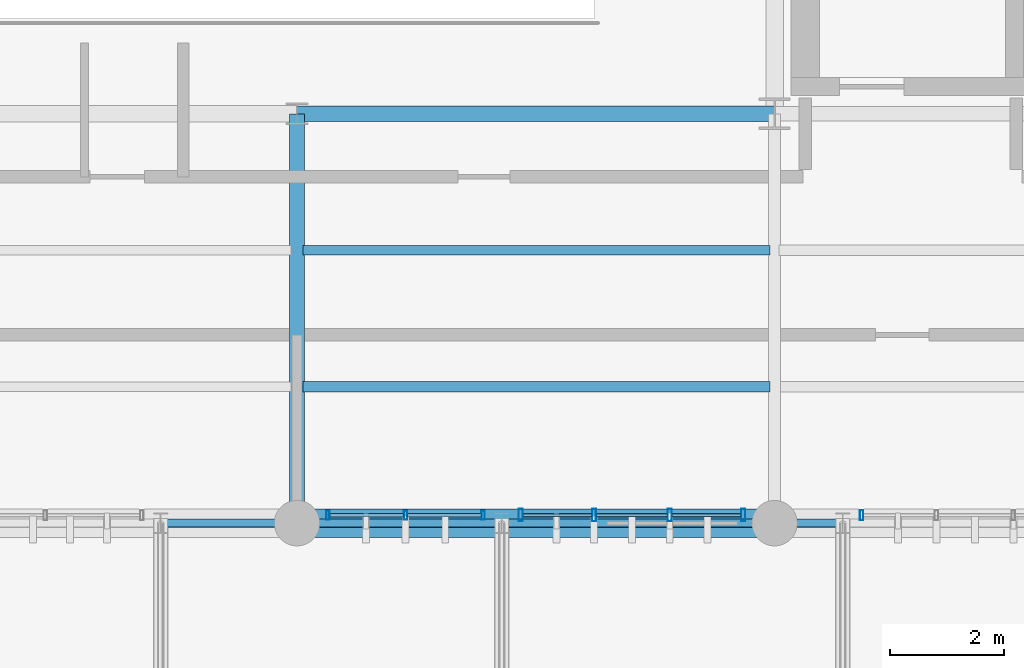
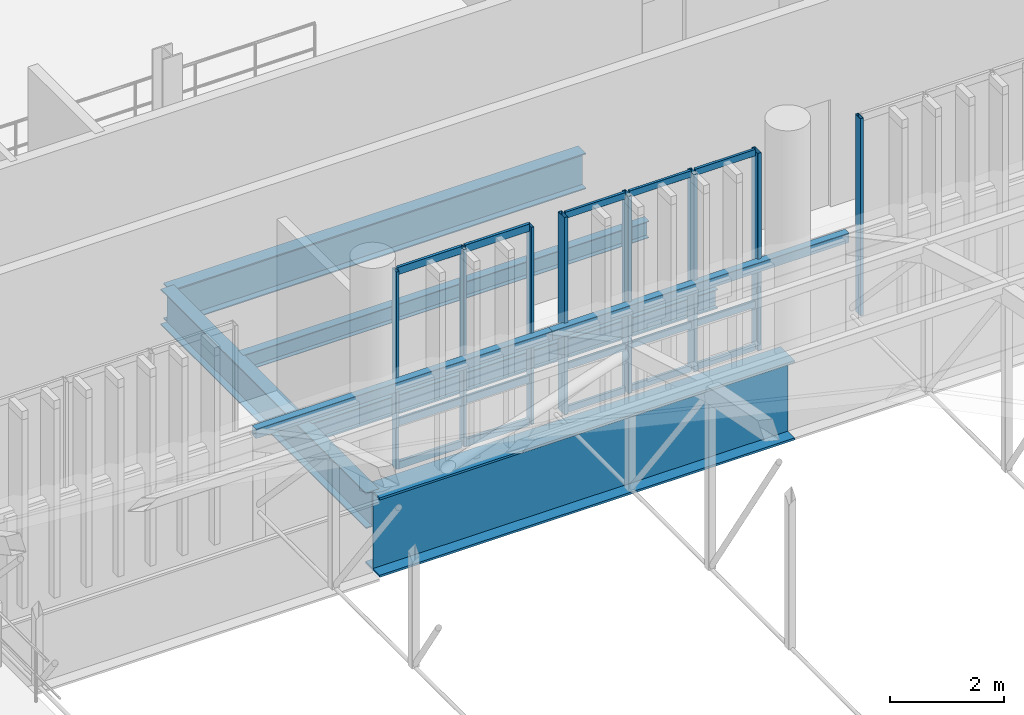
# One storey, part 50 of 109: 25 members, 5 beams, 3 elements without a shape of their own.
"""IFC4 building model written with IfcOpenShell, lengths in metres."""

from ifc_helpers import new_model, si_unit, direction, frame, origin_with_axes, origin_2d_with_axis, place, context, subcontext, project, spatial, hollow_rectangle, i_section, extrude, material, material_profile, profile_set, type_object, element, aggregate, save


model = new_model("IFC4")

# Units and contexts
model_context = context("Model", 3, precision=1e-05, world=origin_with_axes(), true_north=direction((0.0, 1.0)))
body_context = subcontext(model_context, "Body", "Model", "MODEL_VIEW")
ifc_project = project(units=[si_unit("LENGTHUNIT", "METRE"), si_unit("AREAUNIT", "SQUARE_METRE"), si_unit("VOLUMEUNIT", "CUBIC_METRE"), si_unit("PLANEANGLEUNIT", "RADIAN"), si_unit("MASSUNIT", "GRAM", prefix="KILO"), si_unit("THERMODYNAMICTEMPERATUREUNIT", "KELVIN")], contexts=[model_context])

# Site, building, storey
site_placement = place(None, origin_with_axes())
site = spatial("IfcSite", under=ifc_project, at=site_placement, CompositionType="ELEMENT")
building_placement = place(site_placement, origin_with_axes())
building = spatial("IfcBuilding", under=site, at=building_placement, Name="Montbau Bow Law Courts", CompositionType="ELEMENT")
storey_placement = place(building_placement, frame((0.0, 0.0, 10.8), z_axis=(0.0, 0.0, 1.0), x_axis=(1.0, 0.0, 0.0)))
storey = spatial("IfcBuildingStorey", under=building, at=storey_placement, Name="L02", CompositionType="ELEMENT", Elevation=10.8)

# Beams
ifc_material_1 = material(Name="Steel CSA G40.21 Grade 350W (350 MPa)", Category="steel")
ifc_material_profile_1 = material_profile(ifc_material_1, i_section(OverallWidth=0.267, OverallDepth=0.766, WebThickness=0.0149, FlangeThickness=0.0236, at=origin_2d_with_axis()), Name="W760X185", Category="Main", Priority=0)
ifc_profile_set_1 = profile_set([ifc_material_profile_1], Name="Steel CSA G40.21 Grade 350W (350 MPa)")
beam_type_1 = type_object("IfcBeamType", Name="B-FLR-03", PredefinedType="BEAM", material=ifc_profile_set_1)
beam_1_placement = place(None, frame((72.0, 46.2, 10.177), z_axis=(1.0, 0.0, 0.0), x_axis=(0.0, 1.0, 0.0)))
element("IfcBeam", 1, at=beam_1_placement, inside=storey, type_object=beam_type_1, Name="BM-L02-S0842:bm2_0845", PredefinedType="BEAM", context=body_context, shape_type="SweptSolid", body=[
    extrude(i_section(OverallWidth=0.267, OverallDepth=0.766, WebThickness=0.0149, FlangeThickness=0.0236, at=origin_2d_with_axis()), origin_with_axes(), (0.0, 0.0, 1.0), 8.4),
])
beam_2_placement = place(None, frame((72.0, 39.0, 10.177), z_axis=(0.0, 1.0, 0.0), x_axis=(-1.0, 0.0, 0.0)))
element("IfcBeam", 2, at=beam_2_placement, inside=storey, type_object=beam_type_1, Name="BM-L02-S0864:bm2_0867", PredefinedType="BEAM", context=body_context, shape_type="SweptSolid", body=[
    extrude(i_section(OverallWidth=0.267, OverallDepth=0.766, WebThickness=0.0149, FlangeThickness=0.0236, at=origin_2d_with_axis()), origin_with_axes(), (0.0, 0.0, 1.0), 7.2),
])
ifc_material_profile_2 = material_profile(ifc_material_1, i_section(OverallWidth=0.179, OverallDepth=0.41, WebThickness=0.0088, FlangeThickness=0.0144, at=origin_2d_with_axis()), Name="W410X67", Category="Main", Priority=0)
ifc_profile_set_2 = profile_set([ifc_material_profile_2], Name="Steel CSA G40.21 Grade 350W (350 MPa)")
beam_type_2 = type_object("IfcBeamType", Name="B-JST-02", PredefinedType="JOIST", material=ifc_profile_set_2)
beam_3_placement = place(None, frame((72.109, 41.4, 10.355), z_axis=(1.0, 0.0, 0.0), x_axis=(0.0, 1.0, 0.0)))
element("IfcBeam", 3, at=beam_3_placement, inside=storey, type_object=beam_type_2, Name="JST-L02-S0445:jst2_0445", PredefinedType="JOIST", context=body_context, shape_type="SweptSolid", body=[
    extrude(i_section(OverallWidth=0.179, OverallDepth=0.41, WebThickness=0.0088, FlangeThickness=0.0144, at=origin_2d_with_axis()), origin_with_axes(), (0.0, 0.0, 1.0), 8.21),
])
ifc_material_profile_3 = material_profile(ifc_material_1, i_section(OverallWidth=0.172, OverallDepth=0.358, WebThickness=0.0079, FlangeThickness=0.0131, at=origin_2d_with_axis()), Name="W360X57", Category="Main", Priority=0)
ifc_profile_set_3 = profile_set([ifc_material_profile_3], Name="Steel CSA G40.21 Grade 350W (350 MPa)")
beam_type_3 = type_object("IfcBeamType", Name="B-JST-03", PredefinedType="JOIST", material=ifc_profile_set_3)
beam_4_placement = place(None, frame((72.109, 43.8, 10.381), z_axis=(1.0, 0.0, 0.0), x_axis=(0.0, 1.0, 0.0)))
element("IfcBeam", 4, at=beam_4_placement, inside=storey, type_object=beam_type_3, Name="JST-L02-S0446:jst2_0446", PredefinedType="JOIST", context=body_context, shape_type="SweptSolid", body=[
    extrude(i_section(OverallWidth=0.172, OverallDepth=0.358, WebThickness=0.0079, FlangeThickness=0.0131, at=origin_2d_with_axis()), origin_with_axes(), (0.0, 0.0, 1.0), 8.21),
])
ifc_material_2 = material(Name="Steel CSA G40.21 Grade 350WT (350 MPa)", Category="steel")
ifc_material_profile_4 = material_profile(ifc_material_2, i_section(OverallWidth=0.5, OverallDepth=1.7, WebThickness=0.02, FlangeThickness=0.045, at=origin_2d_with_axis()), Name="WWF1700X480", Category="Main", Priority=0)
ifc_profile_set_4 = profile_set([ifc_material_profile_4], Name="Steel CSA G40.21 Grade 350WT (350 MPa)")
beam_type_4 = type_object("IfcBeamType", Name="B-TRG-02", PredefinedType="USERDEFINED", material=ifc_profile_set_4)
beam_5_placement = place(None, frame((72.0, 39.0, 9.71), z_axis=(1.0, 0.0, 0.0), x_axis=(0.0, 1.0, 0.0)))
element("IfcBeam", 5, at=beam_5_placement, inside=storey, type_object=beam_type_4, Name="VRG-L02-S0015:bm2_0018", ObjectType="GIRDER", PredefinedType="USERDEFINED", context=body_context, shape_type="SweptSolid", body=[
    extrude(i_section(OverallWidth=0.5, OverallDepth=1.7, WebThickness=0.02, FlangeThickness=0.045, at=origin_2d_with_axis()), origin_with_axes(), (0.0, 0.0, 1.0), 8.4),
])

# Curtain wall, members
ifc_material_3 = material(Name="Thermally Broken Extruded Aluminium AA 6063-T6", Category="aluminium")
curtain_wall_type = type_object("IfcCurtainWallType", Name="CW-CRM-01", PredefinedType="NOTDEFINED", material=ifc_material_3)
curtain_wall_1_placement = place(None, frame((75.897, 39.14, 10.8), z_axis=(0.0, 0.0, 1.0), x_axis=(1.0, 0.0, 0.0)))
curtain_wall_1 = element("IfcCurtainWall", 6, at=curtain_wall_1_placement, inside=storey, type_object=curtain_wall_type, Name="CW-L02-159:cw_0159", PredefinedType="NOTDEFINED")
ifc_material_profile_5 = material_profile(ifc_material_3, hollow_rectangle(XDim=0.075, YDim=0.22, WallThickness=0.005, InnerFilletRadius=0.01, OuterFilletRadius=0.005, at=origin_2d_with_axis()), Name="CWM-220X75", Category="Main", Priority=0)
ifc_profile_set_5 = profile_set([ifc_material_profile_5], Name="Thermally Broken Extruded Aluminium AA 6063-T6")
member_type_1 = type_object("IfcMemberType", Name="M-MUL-01", PredefinedType="MULLION", material=ifc_profile_set_5)
member_1_placement = place(None, frame((75.934, 39.14, 10.8), z_axis=(0.0, 0.0, 1.0), x_axis=(1.0, 0.0, 0.0)))
member_1 = element("IfcMember", 7, at=member_1_placement, type_object=member_type_1, Name="CW-L02-159-M01:cw_0159_M01", PredefinedType="MULLION", context=body_context, shape_type="SweptSolid", body=[
    extrude(hollow_rectangle(XDim=0.075, YDim=0.22, WallThickness=0.005, InnerFilletRadius=0.01, OuterFilletRadius=0.005, at=origin_2d_with_axis()), origin_with_axes(), (0.0, 0.0, 1.0), 4.22),
])
member_2_placement = place(None, frame((77.226, 39.14, 10.8), z_axis=(0.0, 0.0, 1.0), x_axis=(1.0, 0.0, 0.0)))
member_2 = element("IfcMember", 8, at=member_2_placement, type_object=member_type_1, Name="CW-L02-159-M02:cw_0159_M02", PredefinedType="MULLION", context=body_context, shape_type="SweptSolid", body=[
    extrude(hollow_rectangle(XDim=0.075, YDim=0.22, WallThickness=0.005, InnerFilletRadius=0.01, OuterFilletRadius=0.005, at=origin_2d_with_axis()), origin_with_axes(), (0.0, 0.0, 1.0), 4.22),
])
member_3_placement = place(None, frame((78.556, 39.14, 10.8), z_axis=(0.0, 0.0, 1.0), x_axis=(1.0, 0.0, 0.0)))
member_3 = element("IfcMember", 9, at=member_3_placement, type_object=member_type_1, Name="CW-L02-159-M03:cw_0159_M03", PredefinedType="MULLION", context=body_context, shape_type="SweptSolid", body=[
    extrude(hollow_rectangle(XDim=0.075, YDim=0.22, WallThickness=0.005, InnerFilletRadius=0.01, OuterFilletRadius=0.005, at=origin_2d_with_axis()), origin_with_axes(), (0.0, 0.0, 1.0), 4.22),
])
member_4_placement = place(None, frame((79.847, 39.14, 10.8), z_axis=(0.0, 0.0, 1.0), x_axis=(1.0, 0.0, 0.0)))
member_4 = element("IfcMember", 10, at=member_4_placement, type_object=member_type_1, Name="CW-L02-159-M04:cw_0159_M04", PredefinedType="MULLION", context=body_context, shape_type="SweptSolid", body=[
    extrude(hollow_rectangle(XDim=0.075, YDim=0.22, WallThickness=0.005, InnerFilletRadius=0.01, OuterFilletRadius=0.005, at=origin_2d_with_axis()), origin_with_axes(), (0.0, 0.0, 1.0), 4.22),
])

# Curtain wall, member
curtain_wall_2_placement = place(None, frame((81.897, 39.14, 10.8), z_axis=(0.0, 0.0, 1.0), x_axis=(1.0, 0.0, 0.0)))
curtain_wall_2 = element("IfcCurtainWall", 11, at=curtain_wall_2_placement, inside=storey, type_object=curtain_wall_type, Name="CW-L02-160:cw_0160", PredefinedType="NOTDEFINED")
ifc_material_profile_6 = material_profile(ifc_material_3, hollow_rectangle(XDim=0.065, YDim=0.18, WallThickness=0.005, InnerFilletRadius=0.01, OuterFilletRadius=0.005, at=origin_2d_with_axis()), Name="CWM-180X65", Category="Main", Priority=0)
ifc_profile_set_6 = profile_set([ifc_material_profile_6], Name="Thermally Broken Extruded Aluminium AA 6063-T6")
member_type_2 = type_object("IfcMemberType", Name="M-MUL-02", PredefinedType="MULLION", material=ifc_profile_set_6)
member_5_placement = place(None, frame((81.93, 39.14, 10.8), z_axis=(0.0, 0.0, 1.0), x_axis=(1.0, 0.0, 0.0)))
member_5 = element("IfcMember", 12, at=member_5_placement, type_object=member_type_2, Name="CW-L02-160-M01:cw_0160_M01", PredefinedType="MULLION", context=body_context, shape_type="SweptSolid", body=[
    extrude(hollow_rectangle(XDim=0.065, YDim=0.18, WallThickness=0.005, InnerFilletRadius=0.01, OuterFilletRadius=0.005, at=origin_2d_with_axis()), origin_with_axes(), (0.0, 0.0, 1.0), 4.22),
])
aggregate(curtain_wall_2, [member_5])

# Curtain wall, members
curtain_wall_3_placement = place(None, frame((72.515, 39.14, 10.8), z_axis=(0.0, 0.0, 1.0), x_axis=(1.0, 0.0, 0.0)))
curtain_wall_3 = element("IfcCurtainWall", 13, at=curtain_wall_3_placement, inside=storey, type_object=curtain_wall_type, Name="CW-L02-158:cw_0158", PredefinedType="NOTDEFINED")
ifc_material_profile_7 = material_profile(ifc_material_3, hollow_rectangle(XDim=0.06, YDim=0.16, WallThickness=0.004, InnerFilletRadius=0.008, OuterFilletRadius=0.004, at=origin_2d_with_axis()), Name="CWM-160X60", Category="Main", Priority=0)
ifc_profile_set_7 = profile_set([ifc_material_profile_7], Name="Thermally Broken Extruded Aluminium AA 6063-T6")
member_type_3 = type_object("IfcMemberType", Name="M-MUL-03", PredefinedType="MULLION", material=ifc_profile_set_7)
member_6_placement = place(None, frame((72.545, 39.14, 10.8), z_axis=(0.0, 0.0, 1.0), x_axis=(1.0, 0.0, 0.0)))
member_6 = element("IfcMember", 14, at=member_6_placement, type_object=member_type_3, Name="CW-L02-158-M01:cw_0158_M01", PredefinedType="MULLION", context=body_context, shape_type="SweptSolid", body=[
    extrude(hollow_rectangle(XDim=0.06, YDim=0.16, WallThickness=0.004, InnerFilletRadius=0.008, OuterFilletRadius=0.004, at=origin_2d_with_axis()), origin_with_axes(), (0.0, 0.0, 1.0), 4.22),
])
member_7_placement = place(None, frame((73.909, 39.14, 10.8), z_axis=(0.0, 0.0, 1.0), x_axis=(1.0, 0.0, 0.0)))
member_7 = element("IfcMember", 15, at=member_7_placement, type_object=member_type_3, Name="CW-L02-158-M02:cw_0158_M02", PredefinedType="MULLION", context=body_context, shape_type="SweptSolid", body=[
    extrude(hollow_rectangle(XDim=0.06, YDim=0.16, WallThickness=0.004, InnerFilletRadius=0.008, OuterFilletRadius=0.004, at=origin_2d_with_axis()), origin_with_axes(), (0.0, 0.0, 1.0), 4.22),
])
member_8_placement = place(None, frame((75.273, 39.14, 10.8), z_axis=(0.0, 0.0, 1.0), x_axis=(1.0, 0.0, 0.0)))
member_8 = element("IfcMember", 16, at=member_8_placement, type_object=member_type_3, Name="CW-L02-158-M03:cw_0158_M03", PredefinedType="MULLION", context=body_context, shape_type="SweptSolid", body=[
    extrude(hollow_rectangle(XDim=0.06, YDim=0.16, WallThickness=0.004, InnerFilletRadius=0.008, OuterFilletRadius=0.004, at=origin_2d_with_axis()), origin_with_axes(), (0.0, 0.0, 1.0), 4.22),
])

# Members
ifc_material_profile_8 = material_profile(ifc_material_2, hollow_rectangle(XDim=0.152, YDim=0.203, WallThickness=0.0095, InnerFilletRadius=0.019, OuterFilletRadius=0.0095, at=origin_2d_with_axis()), Name="HSS203X152X9.5", Category="Main", Priority=0)
ifc_profile_set_8 = profile_set([ifc_material_profile_8], Name="Steel CSA G40.21 Grade 350WT (350 MPa)")
member_type_4 = type_object("IfcMemberType", Name="M-PUR-01", PredefinedType="PURLIN", material=ifc_profile_set_8)
for number, where, z_axis, x_axis, name in (
    (17, (69.6, 39.0, 12.658), (1.0, 0.0, 0.0), (0.0, 1.0, 0.0), "Barrel vault roof truss purlin V4-063"),
    (18, (75.6, 39.0, 12.658), (1.0, 0.0, 0.0), (0.0, 1.0, 0.0), "Barrel vault roof truss purlin V4-070"),
):
    element("IfcMember", number, at=place(None, frame(where, z_axis=z_axis, x_axis=x_axis)), inside=storey, type_object=member_type_4, Name=name, PredefinedType="PURLIN", context=body_context, shape_type="SweptSolid", body=[
        extrude(hollow_rectangle(XDim=0.152, YDim=0.203, WallThickness=0.0095, InnerFilletRadius=0.019, OuterFilletRadius=0.0095, at=origin_2d_with_axis()), origin_with_axes(), (0.0, 0.0, 1.0), 6.0),
    ])

# Member
ifc_material_profile_9 = material_profile(ifc_material_3, hollow_rectangle(XDim=0.06, YDim=0.16, WallThickness=0.004, InnerFilletRadius=0.008, OuterFilletRadius=0.004, at=origin_2d_with_axis()), Name="CWT-160X60", Category="Main", Priority=0)
ifc_profile_set_9 = profile_set([ifc_material_profile_9], Name="Thermally Broken Extruded Aluminium AA 6063-T6")
member_type_5 = type_object("IfcMemberType", Name="M-TRN-01", PredefinedType="USERDEFINED", material=ifc_profile_set_9)
member_9_placement = place(None, frame((72.577, 39.14, 10.83), z_axis=(1.0, 0.0, 0.0), x_axis=(0.0, 1.0, 0.0)))
member_9 = element("IfcMember", 19, at=member_9_placement, type_object=member_type_5, Name="CW-L02-158-T01-1:cw_0158_T01_1", ObjectType="TRANSOM", PredefinedType="USERDEFINED", context=body_context, shape_type="SweptSolid", body=[
    extrude(hollow_rectangle(XDim=0.06, YDim=0.16, WallThickness=0.004, InnerFilletRadius=0.008, OuterFilletRadius=0.004, at=origin_2d_with_axis()), origin_with_axes(), (0.0, 0.0, 1.0), 1.3),
])

member_10_placement = place(None, frame((72.577, 39.14, 11.75), z_axis=(1.0, 0.0, 0.0), x_axis=(0.0, 1.0, 0.0)))
member_10 = element("IfcMember", 20, at=member_10_placement, type_object=member_type_5, Name="CW-L02-158-T01-2:cw_0158_T01_2", ObjectType="TRANSOM", PredefinedType="USERDEFINED", context=body_context, shape_type="SweptSolid", body=[
    extrude(hollow_rectangle(XDim=0.06, YDim=0.16, WallThickness=0.004, InnerFilletRadius=0.008, OuterFilletRadius=0.004, at=origin_2d_with_axis()), origin_with_axes(), (0.0, 0.0, 1.0), 1.3),
])

member_11_placement = place(None, frame((72.577, 39.14, 14.99), z_axis=(1.0, 0.0, 0.0), x_axis=(0.0, 1.0, 0.0)))
member_11 = element("IfcMember", 21, at=member_11_placement, type_object=member_type_5, Name="CW-L02-158-T01-3:cw_0158_T01_3", ObjectType="TRANSOM", PredefinedType="USERDEFINED", context=body_context, shape_type="SweptSolid", body=[
    extrude(hollow_rectangle(XDim=0.06, YDim=0.16, WallThickness=0.004, InnerFilletRadius=0.008, OuterFilletRadius=0.004, at=origin_2d_with_axis()), origin_with_axes(), (0.0, 0.0, 1.0), 1.3),
])

member_12_placement = place(None, frame((73.941, 39.14, 10.83), z_axis=(1.0, 0.0, 0.0), x_axis=(0.0, 1.0, 0.0)))
member_12 = element("IfcMember", 22, at=member_12_placement, type_object=member_type_5, Name="CW-L02-158-T02-1:cw_0158_T02_1", ObjectType="TRANSOM", PredefinedType="USERDEFINED", context=body_context, shape_type="SweptSolid", body=[
    extrude(hollow_rectangle(XDim=0.06, YDim=0.16, WallThickness=0.004, InnerFilletRadius=0.008, OuterFilletRadius=0.004, at=origin_2d_with_axis()), origin_with_axes(), (0.0, 0.0, 1.0), 1.3),
])

member_13_placement = place(None, frame((73.941, 39.14, 11.75), z_axis=(1.0, 0.0, 0.0), x_axis=(0.0, 1.0, 0.0)))
member_13 = element("IfcMember", 23, at=member_13_placement, type_object=member_type_5, Name="CW-L02-158-T02-2:cw_0158_T02_2", ObjectType="TRANSOM", PredefinedType="USERDEFINED", context=body_context, shape_type="SweptSolid", body=[
    extrude(hollow_rectangle(XDim=0.06, YDim=0.16, WallThickness=0.004, InnerFilletRadius=0.008, OuterFilletRadius=0.004, at=origin_2d_with_axis()), origin_with_axes(), (0.0, 0.0, 1.0), 1.3),
])

member_14_placement = place(None, frame((73.941, 39.14, 14.99), z_axis=(1.0, 0.0, 0.0), x_axis=(0.0, 1.0, 0.0)))
member_14 = element("IfcMember", 24, at=member_14_placement, type_object=member_type_5, Name="CW-L02-158-T02-3:cw_0158_T02_3", ObjectType="TRANSOM", PredefinedType="USERDEFINED", context=body_context, shape_type="SweptSolid", body=[
    extrude(hollow_rectangle(XDim=0.06, YDim=0.16, WallThickness=0.004, InnerFilletRadius=0.008, OuterFilletRadius=0.004, at=origin_2d_with_axis()), origin_with_axes(), (0.0, 0.0, 1.0), 1.3),
])

aggregate(curtain_wall_3, [member_6, member_7, member_8, member_9, member_10, member_11, member_12, member_13, member_14])

ifc_material_profile_10 = material_profile(ifc_material_3, hollow_rectangle(XDim=0.055, YDim=0.14, WallThickness=0.004, InnerFilletRadius=0.008, OuterFilletRadius=0.004, at=origin_2d_with_axis()), Name="CWT-140X55", Category="Main", Priority=0)
ifc_profile_set_10 = profile_set([ifc_material_profile_10], Name="Thermally Broken Extruded Aluminium AA 6063-T6")
member_type_6 = type_object("IfcMemberType", Name="M-TRN-02", PredefinedType="USERDEFINED", material=ifc_profile_set_10)
member_15_placement = place(None, frame((75.973, 39.14, 10.828), z_axis=(1.0, 0.0, 0.0), x_axis=(0.0, 1.0, 0.0)))
member_15 = element("IfcMember", 25, at=member_15_placement, type_object=member_type_6, Name="CW-L02-159-T01-1:cw_0159_T01_1", ObjectType="TRANSOM", PredefinedType="USERDEFINED", context=body_context, shape_type="SweptSolid", body=[
    extrude(hollow_rectangle(XDim=0.055, YDim=0.14, WallThickness=0.004, InnerFilletRadius=0.008, OuterFilletRadius=0.004, at=origin_2d_with_axis()), origin_with_axes(), (0.0, 0.0, 1.0), 1.213),
])

member_16_placement = place(None, frame((75.973, 39.14, 11.75), z_axis=(1.0, 0.0, 0.0), x_axis=(0.0, 1.0, 0.0)))
member_16 = element("IfcMember", 26, at=member_16_placement, type_object=member_type_6, Name="CW-L02-159-T01-2:cw_0159_T01_2", ObjectType="TRANSOM", PredefinedType="USERDEFINED", context=body_context, shape_type="SweptSolid", body=[
    extrude(hollow_rectangle(XDim=0.055, YDim=0.14, WallThickness=0.004, InnerFilletRadius=0.008, OuterFilletRadius=0.004, at=origin_2d_with_axis()), origin_with_axes(), (0.0, 0.0, 1.0), 1.213),
])

member_17_placement = place(None, frame((75.973, 39.14, 14.992), z_axis=(1.0, 0.0, 0.0), x_axis=(0.0, 1.0, 0.0)))
member_17 = element("IfcMember", 27, at=member_17_placement, type_object=member_type_6, Name="CW-L02-159-T01-3:cw_0159_T01_3", ObjectType="TRANSOM", PredefinedType="USERDEFINED", context=body_context, shape_type="SweptSolid", body=[
    extrude(hollow_rectangle(XDim=0.055, YDim=0.14, WallThickness=0.004, InnerFilletRadius=0.008, OuterFilletRadius=0.004, at=origin_2d_with_axis()), origin_with_axes(), (0.0, 0.0, 1.0), 1.213),
])

member_18_placement = place(None, frame((77.266, 39.14, 10.828), z_axis=(1.0, 0.0, 0.0), x_axis=(0.0, 1.0, 0.0)))
member_18 = element("IfcMember", 28, at=member_18_placement, type_object=member_type_6, Name="CW-L02-159-T02-1:cw_0159_T02_1", ObjectType="TRANSOM", PredefinedType="USERDEFINED", context=body_context, shape_type="SweptSolid", body=[
    extrude(hollow_rectangle(XDim=0.055, YDim=0.14, WallThickness=0.004, InnerFilletRadius=0.008, OuterFilletRadius=0.004, at=origin_2d_with_axis()), origin_with_axes(), (0.0, 0.0, 1.0), 1.25),
])

member_19_placement = place(None, frame((77.266, 39.14, 11.75), z_axis=(1.0, 0.0, 0.0), x_axis=(0.0, 1.0, 0.0)))
member_19 = element("IfcMember", 29, at=member_19_placement, type_object=member_type_6, Name="CW-L02-159-T02-2:cw_0159_T02_2", ObjectType="TRANSOM", PredefinedType="USERDEFINED", context=body_context, shape_type="SweptSolid", body=[
    extrude(hollow_rectangle(XDim=0.055, YDim=0.14, WallThickness=0.004, InnerFilletRadius=0.008, OuterFilletRadius=0.004, at=origin_2d_with_axis()), origin_with_axes(), (0.0, 0.0, 1.0), 1.25),
])

member_20_placement = place(None, frame((77.266, 39.14, 14.992), z_axis=(1.0, 0.0, 0.0), x_axis=(0.0, 1.0, 0.0)))
member_20 = element("IfcMember", 30, at=member_20_placement, type_object=member_type_6, Name="CW-L02-159-T02-3:cw_0159_T02_3", ObjectType="TRANSOM", PredefinedType="USERDEFINED", context=body_context, shape_type="SweptSolid", body=[
    extrude(hollow_rectangle(XDim=0.055, YDim=0.14, WallThickness=0.004, InnerFilletRadius=0.008, OuterFilletRadius=0.004, at=origin_2d_with_axis()), origin_with_axes(), (0.0, 0.0, 1.0), 1.25),
])

member_21_placement = place(None, frame((78.595, 39.14, 10.828), z_axis=(1.0, 0.0, 0.0), x_axis=(0.0, 1.0, 0.0)))
member_21 = element("IfcMember", 31, at=member_21_placement, type_object=member_type_6, Name="CW-L02-159-T03-1:cw_0159_T03_1", ObjectType="TRANSOM", PredefinedType="USERDEFINED", context=body_context, shape_type="SweptSolid", body=[
    extrude(hollow_rectangle(XDim=0.055, YDim=0.14, WallThickness=0.004, InnerFilletRadius=0.008, OuterFilletRadius=0.004, at=origin_2d_with_axis()), origin_with_axes(), (0.0, 0.0, 1.0), 1.213),
])

member_22_placement = place(None, frame((78.595, 39.14, 11.75), z_axis=(1.0, 0.0, 0.0), x_axis=(0.0, 1.0, 0.0)))
member_22 = element("IfcMember", 32, at=member_22_placement, type_object=member_type_6, Name="CW-L02-159-T03-2:cw_0159_T03_2", ObjectType="TRANSOM", PredefinedType="USERDEFINED", context=body_context, shape_type="SweptSolid", body=[
    extrude(hollow_rectangle(XDim=0.055, YDim=0.14, WallThickness=0.004, InnerFilletRadius=0.008, OuterFilletRadius=0.004, at=origin_2d_with_axis()), origin_with_axes(), (0.0, 0.0, 1.0), 1.213),
])

member_23_placement = place(None, frame((78.595, 39.14, 14.992), z_axis=(1.0, 0.0, 0.0), x_axis=(0.0, 1.0, 0.0)))
member_23 = element("IfcMember", 33, at=member_23_placement, type_object=member_type_6, Name="CW-L02-159-T03-3:cw_0159_T03_3", ObjectType="TRANSOM", PredefinedType="USERDEFINED", context=body_context, shape_type="SweptSolid", body=[
    extrude(hollow_rectangle(XDim=0.055, YDim=0.14, WallThickness=0.004, InnerFilletRadius=0.008, OuterFilletRadius=0.004, at=origin_2d_with_axis()), origin_with_axes(), (0.0, 0.0, 1.0), 1.213),
])

aggregate(curtain_wall_1, [member_1, member_2, member_3, member_4, member_15, member_16, member_17, member_18, member_19, member_20, member_21, member_22, member_23])

save(model, "model.ifc")
